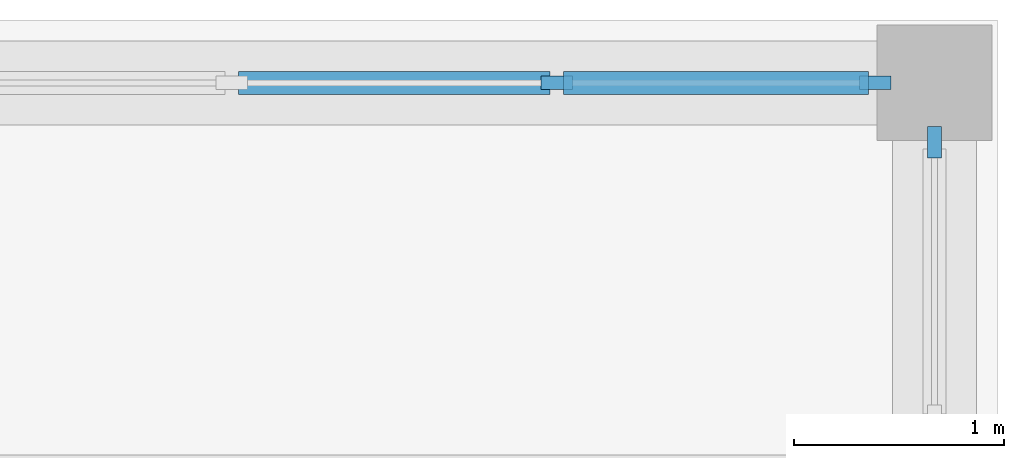
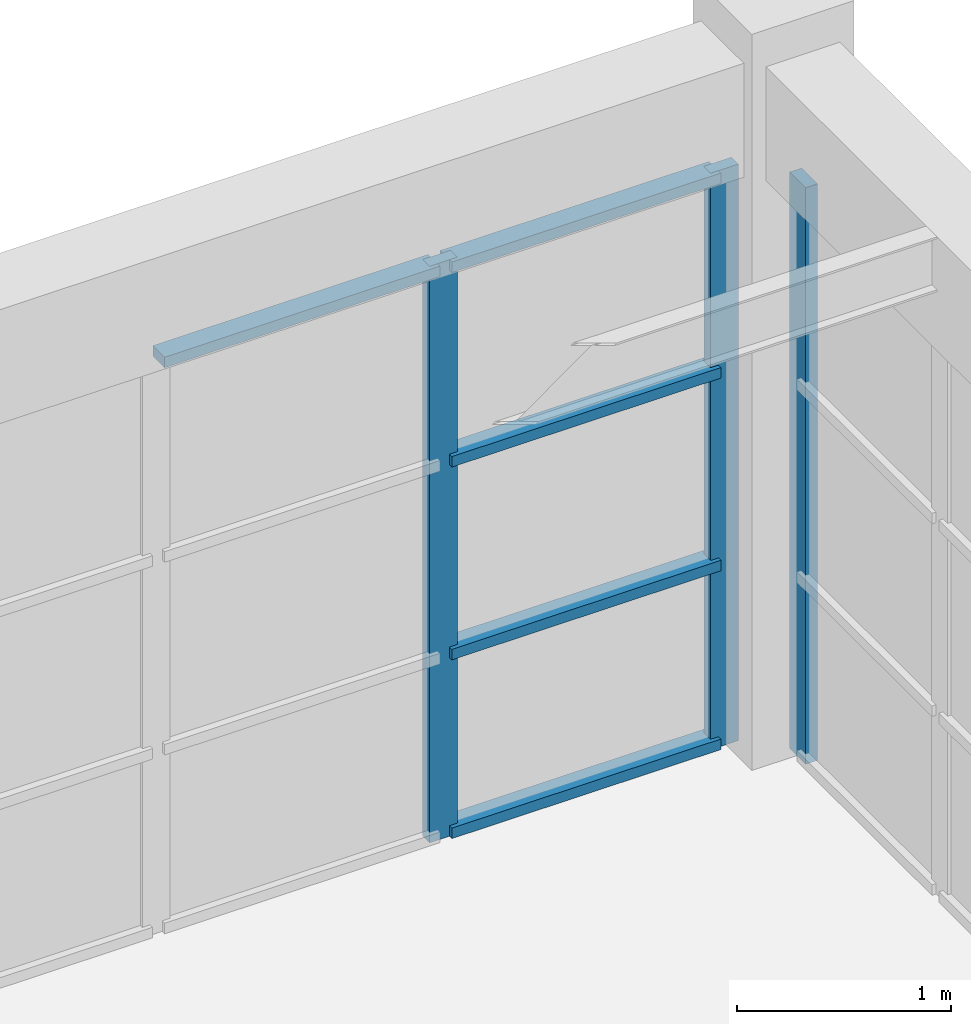
# One storey, part 36 of 66: 8 members, 2 elements without a shape of their own.
"""IFC4 building model written with IfcOpenShell, lengths in metres."""

from ifc_helpers import new_model, si_unit, direction, frame, origin, origin_2d, place, context, subcontext, project, spatial, rectangle, extrude, material, layer, layer_set, material_profile, profile_set, type_object, element, aggregate, save


model = new_model("IFC4")

# Units and contexts
model_context = context("Model", 3, precision=1e-05, world=origin(), true_north=direction((0.0, 1.0)))
body_context = subcontext(model_context, "Body", "Model", "MODEL_VIEW")
ifc_project = project(units=[si_unit("LENGTHUNIT", "METRE"), si_unit("AREAUNIT", "SQUARE_METRE"), si_unit("VOLUMEUNIT", "CUBIC_METRE"), si_unit("PLANEANGLEUNIT", "RADIAN"), si_unit("MASSUNIT", "GRAM", prefix="KILO")], contexts=[model_context])

# Site, building, storey
site_placement = place(None, origin())
site = spatial("IfcSite", under=ifc_project, at=site_placement, CompositionType="ELEMENT")
building_placement = place(site_placement, origin())
building = spatial("IfcBuilding", under=site, at=building_placement, Name="Candilejo Ridge Gondola Terminal", CompositionType="ELEMENT")
storey_placement = place(building_placement, frame((0.0, 0.0, 14.39990234375)))
storey = spatial("IfcBuildingStorey", under=building, at=storey_placement, Name="L03", CompositionType="ELEMENT", Elevation=14.39990234375)

# Curtain wall, member
ifc_material_1 = material(Name="Anodised aluminium AA 6063-T6", Category="aluminium")
ifc_layer_1 = layer(ifc_material_1, 0.169921875)
ifc_layer_set_1 = layer_set([ifc_layer_1], Name="ARC-CW-TOWER-3000-680X329")
curtain_wall_type_1 = type_object("IfcCurtainWallType", Name="ARC-CW-TOWER-3000-680X329", PredefinedType="NOTDEFINED", material=ifc_layer_set_1)
curtain_wall_1_placement = place(storey_placement, origin())
curtain_wall_1 = element("IfcCurtainWall", 1, at=curtain_wall_1_placement, inside=storey, type_object=curtain_wall_type_1, Name="Curtain wall V5 L03-207", PredefinedType="NOTDEFINED")
ifc_material_2 = material(Name="Anodised aluminium AA 6063-T6", Category="aluminium")
ifc_material_profile_1 = material_profile(ifc_material_2, rectangle(XDim=0.06494140625, YDim=0.14990234375, at=origin_2d()))
ifc_profile_set_1 = profile_set([ifc_material_profile_1], Name="Anodised aluminium AA 6063-T6")
member_type_1 = type_object("IfcMemberType", Name="ARC-CW-MULLION-150", PredefinedType="MULLION", material=ifc_profile_set_1)
member_1_placement = place(storey_placement, frame((175.300048828125, 120.5673828125, 0.0), z_axis=(0.0, 0.0, 1.0), x_axis=(-1.0, 0.0, 0.0)))
member_1 = element("IfcMember", 2, at=member_1_placement, type_object=member_type_1, Name="CW-68X32 mullion 6", PredefinedType="MULLION", context=body_context, shape_type="SweptSolid", body=[
    extrude(rectangle(XDim=0.06494140625, YDim=0.14990234375, at=origin_2d()), origin(), (0.0, 0.0, 1.0), 3.2900390625),
])
aggregate(curtain_wall_1, [member_1])

# Curtain wall, members
ifc_material_3 = material(Name="Anodised aluminium AA 6063-T6", Category="aluminium")
ifc_layer_2 = layer(ifc_material_3, 0.169921875)
ifc_layer_set_2 = layer_set([ifc_layer_2], Name="ARC-CW-TOWER-3000-620X329")
curtain_wall_type_2 = type_object("IfcCurtainWallType", Name="ARC-CW-TOWER-3000-620X329", PredefinedType="NOTDEFINED", material=ifc_layer_set_2)
curtain_wall_2_placement = place(storey_placement, origin())
curtain_wall_2 = element("IfcCurtainWall", 3, at=curtain_wall_2_placement, inside=storey, type_object=curtain_wall_type_2, Name="Curtain wall V5 L03-211", PredefinedType="NOTDEFINED")
member_2_placement = place(storey_placement, frame((173.5, 120.85009765625, 0.0), z_axis=(0.0, 0.0, 1.0), x_axis=(0.0, 1.0, 0.0)))
member_2 = element("IfcMember", 4, at=member_2_placement, type_object=member_type_1, Name="CW-62X32 mullion 4", PredefinedType="MULLION", context=body_context, shape_type="SweptSolid", body=[
    extrude(rectangle(XDim=0.06494140625, YDim=0.14990234375, at=origin_2d()), origin(), (0.0, 0.0, 1.0), 3.2900390625),
])
member_3_placement = place(storey_placement, frame((175.017578125, 120.85009765625, 0.0), z_axis=(0.0, 0.0, 1.0), x_axis=(0.0, 1.0, 0.0)))
member_3 = element("IfcMember", 5, at=member_3_placement, type_object=member_type_1, Name="CW-62X32 mullion 5", PredefinedType="MULLION", context=body_context, shape_type="SweptSolid", body=[
    extrude(rectangle(XDim=0.06494140625, YDim=0.14990234375, at=origin_2d()), origin(), (0.0, 0.0, 1.0), 3.2900390625),
])
ifc_material_4 = material(Name="Anodised aluminium AA 6063-T6", Category="aluminium")
ifc_material_profile_2 = material_profile(ifc_material_4, rectangle(XDim=0.110107421875, YDim=0.06005859375, at=origin_2d()))
ifc_profile_set_2 = profile_set([ifc_material_profile_2], Name="Anodised aluminium AA 6063-T6")
member_type_2 = type_object("IfcMemberType", Name="ARC-CW-TRANSOM-110", PredefinedType="USERDEFINED", material=ifc_profile_set_2)
member_4_placement = place(storey_placement, frame((171.982421875, 120.85009765625, 3.260009765625), z_axis=(1.0, 0.0, 0.0), x_axis=(0.0, 1.0, 0.0)))
member_4 = element("IfcMember", 6, at=member_4_placement, type_object=member_type_2, Name="CW-62X32 transom 3.4", ObjectType="TRANSOM", PredefinedType="USERDEFINED", context=body_context, shape_type="SweptSolid", body=[
    extrude(rectangle(XDim=0.110107421875, YDim=0.06005859375, at=origin_2d()), origin(), (0.0, 0.0, 1.0), 1.485107421875),
])
member_5_placement = place(storey_placement, frame((173.532470703125, 120.85009765625, 0.030029296875), z_axis=(1.0, 0.0, 0.0), x_axis=(0.0, 1.0, 0.0)))
member_5 = element("IfcMember", 7, at=member_5_placement, type_object=member_type_2, Name="CW-62X32 transom 4.1", ObjectType="TRANSOM", PredefinedType="USERDEFINED", context=body_context, shape_type="SweptSolid", body=[
    extrude(rectangle(XDim=0.110107421875, YDim=0.06005859375, at=origin_2d()), origin(), (0.0, 0.0, 1.0), 1.45263671875),
])
member_6_placement = place(storey_placement, frame((173.532470703125, 120.85009765625, 1.050048828125), z_axis=(1.0, 0.0, 0.0), x_axis=(0.0, 1.0, 0.0)))
member_6 = element("IfcMember", 8, at=member_6_placement, type_object=member_type_2, Name="CW-62X32 transom 4.2", ObjectType="TRANSOM", PredefinedType="USERDEFINED", context=body_context, shape_type="SweptSolid", body=[
    extrude(rectangle(XDim=0.110107421875, YDim=0.06005859375, at=origin_2d()), origin(), (0.0, 0.0, 1.0), 1.45263671875),
])
member_7_placement = place(storey_placement, frame((173.532470703125, 120.85009765625, 2.150146484375), z_axis=(1.0, 0.0, 0.0), x_axis=(0.0, 1.0, 0.0)))
member_7 = element("IfcMember", 9, at=member_7_placement, type_object=member_type_2, Name="CW-62X32 transom 4.3", ObjectType="TRANSOM", PredefinedType="USERDEFINED", context=body_context, shape_type="SweptSolid", body=[
    extrude(rectangle(XDim=0.110107421875, YDim=0.06005859375, at=origin_2d()), origin(), (0.0, 0.0, 1.0), 1.45263671875),
])
member_8_placement = place(storey_placement, frame((173.532470703125, 120.85009765625, 3.260009765625), z_axis=(1.0, 0.0, 0.0), x_axis=(0.0, 1.0, 0.0)))
member_8 = element("IfcMember", 10, at=member_8_placement, type_object=member_type_2, Name="CW-62X32 transom 4.4", ObjectType="TRANSOM", PredefinedType="USERDEFINED", context=body_context, shape_type="SweptSolid", body=[
    extrude(rectangle(XDim=0.110107421875, YDim=0.06005859375, at=origin_2d()), origin(), (0.0, 0.0, 1.0), 1.45263671875),
])
aggregate(curtain_wall_2, [member_2, member_3, member_4, member_5, member_6, member_7, member_8])

save(model, "model.ifc")
